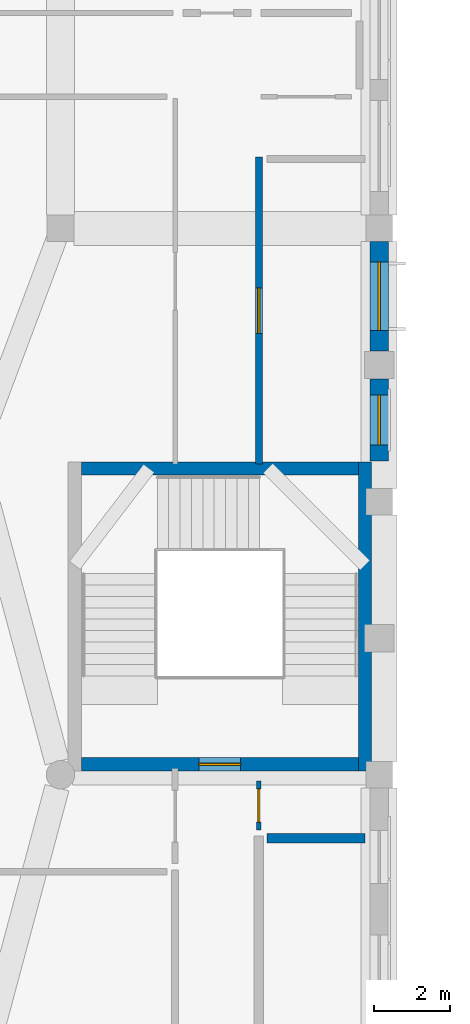
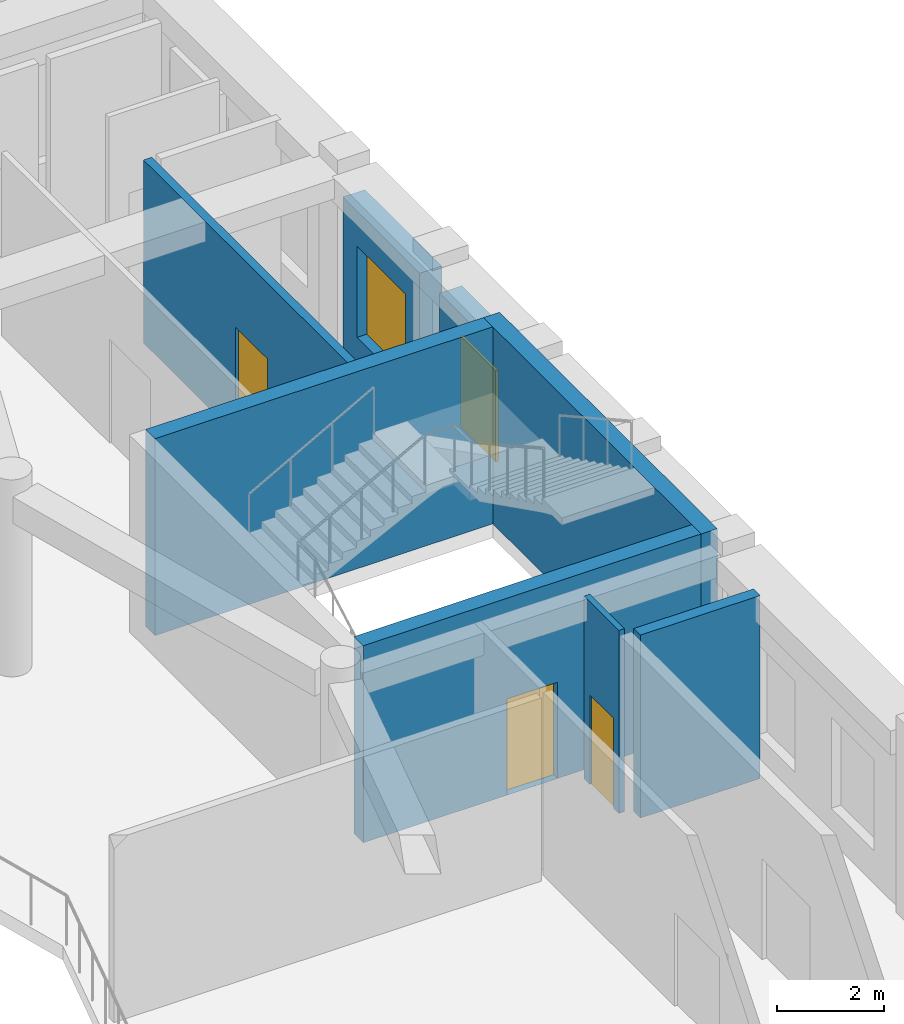
# One storey, part 60 of 100: 8 walls, 3 doors, 2 windows, 5 openings.
"""IFC4 building model written with IfcOpenShell, lengths in metres."""

import ifcopenshell
import ifcopenshell.guid

model = None  # the IFC model being written
_history = None  # IfcOwnerHistory: only IFC2X3 demands one
_inside = {}  # id of a spatial element -> (the spatial element, [elements in it])
_under = {}  # id of a project, library or spatial element -> (it, [spatial elements below it])
_declared = {}  # id of a project -> (the project, [libraries it declares])
_typed = {}  # id of a type object -> (the type object, [elements of that type])
_made_of = {}  # id of a material, layer set ... -> (it, [elements and type objects made of it])


def new_model(schema):
    """Start an empty IFC model of exactly this schema.

    Asked for "IFC4X3", IfcOpenShell would pick the latest addendum, in which some entities
    have other attributes; the version numbers below select the first issue.
    IFC2X3 requires an IfcOwnerHistory on every rooted entity: one is made here for all.
    """
    global model, _history
    if schema == "IFC4X3":
        model = ifcopenshell.file(schema_version=(4, 3, 0, 0))
    else:
        model = ifcopenshell.file(schema=schema)
    _inside.clear()
    _under.clear()
    _declared.clear()
    _typed.clear()
    _made_of.clear()
    _history = None
    if model.schema == "IFC2X3":
        org = make("IfcOrganization", Name="unknown")
        user = make(
            "IfcPersonAndOrganization",
            ThePerson=make("IfcPerson", FamilyName="unknown"),
            TheOrganization=org,
        )
        app = make(
            "IfcApplication",
            ApplicationDeveloper=org,
            Version="unknown",
            ApplicationFullName="unknown",
            ApplicationIdentifier="unknown",
        )
        _history = make(
            "IfcOwnerHistory",
            OwningUser=user,
            OwningApplication=app,
            ChangeAction="ADDED",
            CreationDate=0,
        )
    return model


def make(cls, **values):
    """One entity of the class cls with the attributes given. An attribute that is None is left unset."""
    return model.create_entity(
        cls, **{name: value for name, value in values.items() if value is not None}
    )


def rooted(cls, **values):
    """An entity with a GlobalId (a new one), such as an element, a storey or a relation."""
    return make(cls, GlobalId=ifcopenshell.guid.new(), OwnerHistory=_history, **values)


def si_unit(unit_type, name, prefix=None):
    """IfcSIUnit, for example si_unit("LENGTHUNIT", "METRE", prefix="MILLI")."""
    return make("IfcSIUnit", UnitType=unit_type, Prefix=prefix, Name=name)


def derived_unit(unit_type, elements):
    """IfcDerivedUnit: a product of units, each with its exponent."""
    return make(
        "IfcDerivedUnit",
        Elements=[
            make("IfcDerivedUnitElement", Unit=unit, Exponent=power)
            for unit, power in elements
        ],
        UnitType=unit_type,
    )


def assignment(units):
    """IfcUnitAssignment: the units of a project."""
    return None if units is None else make("IfcUnitAssignment", Units=units)


def point(xyz):
    """IfcCartesianPoint."""
    return None if xyz is None else make("IfcCartesianPoint", Coordinates=xyz)


def direction(xyz):
    """IfcDirection."""
    return None if xyz is None else make("IfcDirection", DirectionRatios=xyz)


def frame(location, z_axis=None, x_axis=None):
    """IfcAxis2Placement3D, a coordinate frame: its origin and axes. An axis left out is left unset."""
    return make(
        "IfcAxis2Placement3D",
        Location=point(location),
        Axis=direction(z_axis),
        RefDirection=direction(x_axis),
    )


def frame_2d(location, x_axis=None):
    """IfcAxis2Placement2D, a coordinate frame in the plane: its origin and x axis."""
    return make(
        "IfcAxis2Placement2D", Location=point(location), RefDirection=direction(x_axis)
    )


def origin():
    """The frame at (0, 0, 0) with its axes left unset."""
    return frame((0.0, 0.0, 0.0))


def place(relative_to, where):
    """IfcLocalPlacement: puts the frame where relative to a parent placement (None: the world)."""
    return make(
        "IfcLocalPlacement", PlacementRelTo=relative_to, RelativePlacement=where
    )


def context(
    kind, dimensions, precision=None, world=None, true_north=None, identifier=None
):
    """IfcGeometricRepresentationContext, for example the 3D "Model" context."""
    return make(
        "IfcGeometricRepresentationContext",
        ContextIdentifier=identifier,
        ContextType=kind,
        CoordinateSpaceDimension=dimensions,
        Precision=precision,
        WorldCoordinateSystem=world,
        TrueNorth=true_north,
    )


def subcontext(parent, identifier, kind, view, scale=None):
    """IfcGeometricRepresentationSubContext, for example "Body" below "Model"."""
    return make(
        "IfcGeometricRepresentationSubContext",
        ContextIdentifier=identifier,
        ContextType=kind,
        ParentContext=parent,
        TargetScale=scale,
        TargetView=view,
    )


def project(units=None, contexts=None):
    """IfcProject with its units and contexts."""
    return rooted(
        "IfcProject",
        Name="project",
        RepresentationContexts=contexts,
        UnitsInContext=assignment(units),
    )


def spatial(cls, under=None, at=None, **own):
    """A site, building, storey or space (cls), placed at a placement, below another one or the project."""
    s = rooted(cls, ObjectPlacement=at, **own)
    if under is not None:
        _under.setdefault(under.id(), (under, []))[1].append(s)
    return s


def profile(cls, at=None, kind="AREA", **sizes):
    """A parametric profile (cls). Its sizes go by their IFC names, for example OverallWidth=200.0."""
    return make(cls, ProfileType=kind, Position=at, **sizes)


def rectangle(**sizes):
    """IfcRectangleProfileDef."""
    return profile("IfcRectangleProfileDef", **sizes)


def extrude(swept, where, along, depth):
    """IfcExtrudedAreaSolid: the profile swept, set in the frame where, extruded along a direction by depth."""
    return make(
        "IfcExtrudedAreaSolid",
        SweptArea=swept,
        Position=where,
        ExtrudedDirection=direction(along),
        Depth=depth,
    )


def shape(context_of_items, identifier, shape_type, items):
    """IfcShapeRepresentation: the items that make up one representation, for example the "Body"."""
    return make(
        "IfcShapeRepresentation",
        ContextOfItems=context_of_items,
        RepresentationIdentifier=identifier,
        RepresentationType=shape_type,
        Items=items,
    )


def material(Name=None, Category=None):
    """IfcMaterial."""
    return make("IfcMaterial", Name=Name, Category=Category)


def layer(
    of_material, thickness, ventilated=None, Name=None, Category=None, Priority=None
):
    """IfcMaterialLayer: one layer of a wall or slab, of a material (None: an air gap)."""
    return make(
        "IfcMaterialLayer",
        Material=of_material,
        LayerThickness=thickness,
        IsVentilated=ventilated,
        Name=Name,
        Category=Category,
        Priority=Priority,
    )


def layer_set(layers, Name=None):
    """IfcMaterialLayerSet."""
    return make("IfcMaterialLayerSet", MaterialLayers=layers, LayerSetName=Name)


def made_of(thing, what):
    """Note that an element or type object is made of a material, layer set ...; save() writes the relation."""
    if what is not None:
        _made_of.setdefault(what.id(), (what, []))[1].append(thing)
    return thing


def type_object(cls, material=None, **own):
    """A type object (cls), such as IfcWallType, which elements share."""
    return made_of(rooted(cls, **own), material)


def element(
    cls,
    number,
    at=None,
    inside=None,
    cuts=None,
    type_object=None,
    material=None,
    context=None,
    identifier="Body",
    shape_type=None,
    held_by="IfcProductDefinitionShape",
    body=None,
    shapes=None,
    **own,
):
    """One element of the class cls, such as IfcWall. Its Tag is "e" and its number.

    at: its placement. inside: the storey or other place that contains it. cuts: it is an
    opening in that element (IfcRelVoidsElement). A single representation is given by context,
    identifier, shape_type and body (its items); several are given by shapes. held_by: the class
    of the entity that holds the representations. save() writes the other relations.
    """
    e = rooted(cls, Tag="e%d" % number, ObjectPlacement=at, **own)
    if body is not None:
        shapes = [shape(context, identifier, shape_type, body)]
    if shapes is not None:
        e.Representation = make(held_by, Representations=shapes)
    if inside is not None:
        _inside.setdefault(inside.id(), (inside, []))[1].append(e)
    if cuts is not None:
        rooted(
            "IfcRelVoidsElement", RelatingBuildingElement=cuts, RelatedOpeningElement=e
        )
    if type_object is not None:
        _typed.setdefault(type_object.id(), (type_object, []))[1].append(e)
    return made_of(e, material)


def fill(opening, filler):
    """IfcRelFillsElement: the door or window that sits in an opening."""
    return rooted(
        "IfcRelFillsElement",
        RelatingOpeningElement=opening,
        RelatedBuildingElement=filler,
    )


def aggregate(whole, parts):
    """IfcRelAggregates: a whole, such as a stair, and the parts it consists of."""
    return rooted("IfcRelAggregates", RelatingObject=whole, RelatedObjects=parts)


def save(model, path):
    """Write the relations noted so far, then the file.

    IfcRelAggregates (storeys below a building ...), IfcRelContainedInSpatialStructure (elements
    in a storey), IfcRelDefinesByType, IfcRelAssociatesMaterial and IfcRelDeclares: one each for
    every whole, place, type object, material and project.
    """
    for whole, parts in _under.values():
        aggregate(whole, parts)
    for where, things in _inside.values():
        rooted(
            "IfcRelContainedInSpatialStructure",
            RelatedElements=things,
            RelatingStructure=where,
        )
    for kind, things in _typed.values():
        rooted("IfcRelDefinesByType", RelatedObjects=things, RelatingType=kind)
    for what, things in _made_of.values():
        rooted("IfcRelAssociatesMaterial", RelatedObjects=things, RelatingMaterial=what)
    for by, libraries in _declared.values():
        rooted("IfcRelDeclares", RelatingContext=by, RelatedDefinitions=libraries)
    model.write(path)


model = new_model("IFC4")

# Units and contexts
model_context = context("Model", 3, precision=1e-05, world=origin(), true_north=direction((0.0, 1.0)))
body_context = subcontext(model_context, "Body", "Model", "MODEL_VIEW")
ifc_project = project(units=[si_unit("LENGTHUNIT", "METRE"), si_unit("AREAUNIT", "SQUARE_METRE"), si_unit("VOLUMEUNIT", "CUBIC_METRE"), si_unit("PLANEANGLEUNIT", "RADIAN"), si_unit("MASSUNIT", "GRAM", prefix="KILO"), derived_unit("THERMALTRANSMITTANCEUNIT", [(si_unit("POWERUNIT", "WATT"), 1), (si_unit("LENGTHUNIT", "METRE"), -2), (si_unit("THERMODYNAMICTEMPERATUREUNIT", "KELVIN"), -1)])], contexts=[model_context])

# Site, building, storey
site_placement = place(None, origin())
site = spatial("IfcSite", under=ifc_project, at=site_placement, CompositionType="ELEMENT")
building_placement = place(site_placement, origin())
building = spatial("IfcBuilding", under=site, at=building_placement, Name="Veybourne Emporium", CompositionType="ELEMENT")
storey_placement = place(building_placement, frame((0.0, 0.0, 14.39990234375)))
storey = spatial("IfcBuildingStorey", under=building, at=storey_placement, Name="L03", CompositionType="ELEMENT", Elevation=14.39990234375)

# Wall, opening, window
ifc_material_1 = material(Name="Portland Limestone Ashlar", Category="masonry")
ifc_layer_1 = layer(ifc_material_1, 0.47998046875)
ifc_layer_set_1 = layer_set([ifc_layer_1], Name="Portland Limestone Ashlar")
wall_type_1 = type_object("IfcWallType", Name="ExtWall_EW-01", PredefinedType="SOLIDWALL", material=ifc_layer_set_1)
wall_1_placement = place(storey_placement, frame((100.800048828125, 64.449951171875, 0.0), z_axis=(0.0, 0.0, 1.0), x_axis=(0.0, -1.0, 0.0)))
wall_1 = element("IfcWall", 1, at=wall_1_placement, inside=storey, type_object=wall_type_1, Name="L03 Portland stone external wall 057A", PredefinedType="SOLIDWALL", context=body_context, shape_type="SweptSolid", body=[
    extrude(rectangle(XDim=2.8798828125, YDim=0.47998046875, at=frame_2d((1.43994140625, 0.0))), origin(), (0.0, 0.0, 1.0), 3.630126953125),
])
opening_1_placement = place(wall_1_placement, frame((0.5400390625, 0.0, 0.75)))
opening_1 = element("IfcOpeningElement", 2, at=opening_1_placement, cuts=wall_1, Name="Opening W-12", PredefinedType="OPENING", context=body_context, shape_type="SweptSolid", body=[
    extrude(rectangle(XDim=1.800048828125, YDim=2.080078125, at=frame_2d((0.89990234375, 1.0400390625))), frame((0.0, 0.260009765625, 0.0), z_axis=(0.0, -1.0, 0.0), x_axis=(1.0, 0.0, 0.0)), (0.0, 0.0, 1.0), 0.52001953125),
])
ifc_material_2 = material(Name="Low-E Triple Glazing", Category="glass")
window_type_1 = type_object("IfcWindowType", Name="Win_W-12", PartitioningType="DOUBLE_PANEL_VERTICAL", PredefinedType="WINDOW", material=ifc_material_2)
window_1_placement = place(opening_1_placement, origin())
window_1 = element("IfcWindow", 3, at=window_1_placement, inside=storey, type_object=window_type_1, Name="L03 tripartite bronze casement window W-12 (57A)", OverallHeight=2.080078125, OverallWidth=1.800048828125, PartitioningType="DOUBLE_PANEL_VERTICAL", PredefinedType="WINDOW", context=body_context, shape_type="SweptSolid", body=[
    extrude(rectangle(XDim=1.800048828125, YDim=2.080078125, at=frame_2d((0.89990234375, 1.0400390625))), frame((0.0, 0.030029296875, 0.0), z_axis=(0.0, -1.0, 0.0), x_axis=(1.0, 0.0, 0.0)), (0.0, 0.0, 1.0), 0.06005859375),
])
fill(opening_1, window_1)

wall_2_placement = place(storey_placement, frame((100.800048828125, 60.830078125, 0.0), z_axis=(0.0, 0.0, 1.0), x_axis=(0.0, -1.0, 0.0)))
wall_2 = element("IfcWall", 4, at=wall_2_placement, inside=storey, type_object=wall_type_1, Name="L03 Portland stone external wall 057B", PredefinedType="SOLIDWALL", context=body_context, shape_type="SweptSolid", body=[
    extrude(rectangle(XDim=2.16015625, YDim=0.47998046875, at=frame_2d((1.080078125, 0.0))), origin(), (0.0, 0.0, 1.0), 3.630126953125),
])
opening_2_placement = place(wall_2_placement, frame((0.425048828125, 0.0, 0.75)))
opening_2 = element("IfcOpeningElement", 5, at=opening_2_placement, cuts=wall_2, Name="Opening W-13", PredefinedType="OPENING", context=body_context, shape_type="SweptSolid", body=[
    extrude(rectangle(XDim=1.31005859375, YDim=2.080078125, at=frame_2d((0.655029296875, 1.0400390625))), frame((0.0, 0.260009765625, 0.0), z_axis=(0.0, -1.0, 0.0), x_axis=(1.0, 0.0, 0.0)), (0.0, 0.0, 1.0), 0.52001953125),
])
window_type_2 = type_object("IfcWindowType", Name="Win_W-13", PartitioningType="TRIPLE_PANEL_VERTICAL", PredefinedType="WINDOW", material=ifc_material_2)
window_2_placement = place(opening_2_placement, origin())
window_2 = element("IfcWindow", 6, at=window_2_placement, inside=storey, type_object=window_type_2, Name="L03 tripartite bronze casement window W-13 (57B)", OverallHeight=2.080078125, OverallWidth=1.31005859375, PartitioningType="TRIPLE_PANEL_VERTICAL", PredefinedType="WINDOW", context=body_context, shape_type="SweptSolid", body=[
    extrude(rectangle(XDim=1.31005859375, YDim=2.080078125, at=frame_2d((0.655029296875, 1.0400390625))), frame((0.0, 0.030029296875, 0.0), z_axis=(0.0, -1.0, 0.0), x_axis=(1.0, 0.0, 0.0)), (0.0, 0.0, 1.0), 0.06005859375),
])
fill(opening_2, window_2)

# Wall, opening, door
ifc_material_3 = material(Name="Concrete C40/50", Category="concrete")
ifc_layer_2 = layer(ifc_material_3, 0.35009765625)
ifc_layer_set_2 = layer_set([ifc_layer_2], Name="Concrete C40/50")
wall_type_2 = type_object("IfcWallType", Name="IntWall_CW-02", PredefinedType="SHEAR", material=ifc_layer_set_2)
wall_3_placement = place(storey_placement, frame((100.25, 50.675048828125, 0.0), z_axis=(0.0, 0.0, 1.0), x_axis=(-1.0, 0.0, 0.0)))
wall_3 = element("IfcWall", 7, at=wall_3_placement, inside=storey, type_object=wall_type_2, Name="Core stair ST-07 south shear wall (L03)", PredefinedType="SHEAR", context=body_context, shape_type="SweptSolid", body=[
    extrude(rectangle(XDim=7.300048828125, YDim=0.35009765625, at=frame_2d((3.64990234375, 0.0))), origin(), (0.0, 0.0, 1.0), 4.5),
])
opening_3_placement = place(wall_3_placement, frame((3.10009765625, 0.0, 0.0)))
opening_3 = element("IfcOpeningElement", 8, at=opening_3_placement, cuts=wall_3, Name="Opening FD-01", PredefinedType="OPENING", context=body_context, shape_type="SweptSolid", body=[
    extrude(rectangle(XDim=1.10009765625, YDim=2.199951171875, at=frame_2d((0.550048828125, 1.10009765625))), frame((0.0, 0.195068359375, 0.0), z_axis=(0.0, -1.0, 0.0), x_axis=(1.0, 0.0, 0.0)), (0.0, 0.0, 1.0), 0.39013671875),
])
ifc_material_4 = material(Name="Patinated Architectural Bronze", Category="bronze")
door_type_1 = type_object("IfcDoorType", Name="FireDoor_FD-01", OperationType="NOTDEFINED", PredefinedType="DOOR", material=ifc_material_4)
door_1_placement = place(opening_3_placement, origin())
door_1 = element("IfcDoor", 9, at=door_1_placement, inside=storey, type_object=door_type_1, Name="Stair ST-07 fire door (L03)", OperationType="SINGLE_SWING_LEFT", OverallHeight=2.199951171875, OverallWidth=1.10009765625, PredefinedType="DOOR", context=body_context, shape_type="SweptSolid", body=[
    extrude(rectangle(XDim=1.10009765625, YDim=2.199951171875, at=frame_2d((0.550048828125, 1.10009765625))), frame((0.0, 0.02490234375, 0.0), z_axis=(0.0, -1.0, 0.0), x_axis=(1.0, 0.0, 0.0)), (0.0, 0.0, 1.0), 0.050048828125),
])
fill(opening_3, door_1)

# Walls
wall_4_placement = place(storey_placement, frame((92.949951171875, 58.47509765625, 0.0), z_axis=(0.0, 0.0, 1.0), x_axis=(1.0, 0.0, 0.0)))
element("IfcWall", 10, at=wall_4_placement, inside=storey, type_object=wall_type_2, Name="Core stair ST-07 north shear wall (L03)", PredefinedType="SHEAR", context=body_context, shape_type="SweptSolid", body=[
    extrude(rectangle(XDim=7.300048828125, YDim=0.35009765625, at=frame_2d((3.64990234375, 0.0))), origin(), (0.0, 0.0, 1.0), 4.5),
])
wall_5_placement = place(storey_placement, frame((100.425048828125, 50.5, 0.0), z_axis=(0.0, 0.0, 1.0), x_axis=(0.0, 1.0, 0.0)))
element("IfcWall", 11, at=wall_5_placement, inside=storey, type_object=wall_type_2, Name="Core stair ST-07 east shear wall (L03)", PredefinedType="SHEAR", context=body_context, shape_type="SweptSolid", body=[
    extrude(rectangle(XDim=8.14990234375, YDim=0.35009765625, at=frame_2d((4.074951171875, 0.0))), origin(), (0.0, 0.0, 1.0), 4.5),
])
ifc_material_5 = material(Name="Concrete C32/40", Category="concrete")
ifc_layer_3 = layer(ifc_material_5, 0.25)
ifc_layer_set_3 = layer_set([ifc_layer_3], Name="Concrete C32/40")
wall_type_3 = type_object("IfcWallType", Name="IntWall_FW-01", PredefinedType="SOLIDWALL", material=ifc_layer_set_3)
wall_6_placement = place(storey_placement, frame((97.840087890625, 48.72998046875, 0.0), z_axis=(0.0, 0.0, 1.0), x_axis=(1.0, 0.0, 0.0)))
element("IfcWall", 12, at=wall_6_placement, inside=storey, type_object=wall_type_3, Name="L03 interior partition FW-01 #142", PredefinedType="SOLIDWALL", context=body_context, shape_type="SweptSolid", body=[
    extrude(rectangle(XDim=2.58984375, YDim=0.25, at=frame_2d((1.294921875, 0.0))), origin(), (0.0, 0.0, 1.0), 4.18017578125),
])

# Wall, opening, door
ifc_material_6 = material(Name="Gypsum Acoustic Board", Category="gypsum")
ifc_layer_4 = layer(ifc_material_6, 0.179931640625)
ifc_layer_set_4 = layer_set([ifc_layer_4], Name="Gypsum Acoustic Board")
wall_type_4 = type_object("IfcWallType", Name="IntWall_IW-01", PredefinedType="PARTITIONING", material=ifc_layer_set_4)
wall_7_placement = place(storey_placement, frame((97.6298828125, 58.590087890625, 0.0), z_axis=(0.0, 0.0, 1.0), x_axis=(0.0, 1.0, 0.0)))
wall_7 = element("IfcWall", 13, at=wall_7_placement, inside=storey, type_object=wall_type_4, Name="L03 interior partition IW-01 #059", PredefinedType="PARTITIONING", context=body_context, shape_type="SweptSolid", body=[
    extrude(rectangle(XDim=8.08984375, YDim=0.179931640625, at=frame_2d((4.044921875, 0.0))), origin(), (0.0, 0.0, 1.0), 4.18017578125),
])
opening_4_placement = place(wall_7_placement, frame((3.445068359375, 0.0, 0.0)))
opening_4 = element("IfcOpeningElement", 14, at=opening_4_placement, cuts=wall_7, Name="Opening D-33", PredefinedType="OPENING", context=body_context, shape_type="SweptSolid", body=[
    extrude(rectangle(XDim=1.199951171875, YDim=2.449951171875, at=frame_2d((0.60009765625, 1.22509765625))), frame((0.0, 0.10986328125, 0.0), z_axis=(0.0, -1.0, 0.0), x_axis=(1.0, 0.0, 0.0)), (0.0, 0.0, 1.0), 0.219970703125),
])
ifc_material_7 = material(Name="European Oak Veneer and Bronze", Category="wood")
door_type_2 = type_object("IfcDoorType", Name="IntDoor_D-33", OperationType="NOTDEFINED", PredefinedType="DOOR", material=ifc_material_7)
door_2_placement = place(opening_4_placement, origin())
door_2 = element("IfcDoor", 15, at=door_2_placement, inside=storey, type_object=door_type_2, Name="L03 interior door D-33 (PART-L03-059)", OperationType="SINGLE_SWING_RIGHT", OverallHeight=2.449951171875, OverallWidth=1.199951171875, PredefinedType="DOOR", context=body_context, shape_type="SweptSolid", body=[
    extrude(rectangle(XDim=1.199951171875, YDim=2.449951171875, at=frame_2d((0.60009765625, 1.22509765625))), frame((0.0, 0.02490234375, 0.0), z_axis=(0.0, -1.0, 0.0), x_axis=(1.0, 0.0, 0.0)), (0.0, 0.0, 1.0), 0.050048828125),
])
fill(opening_4, door_2)

ifc_layer_5 = layer(ifc_material_6, 0.1201171875)
ifc_layer_set_5 = layer_set([ifc_layer_5], Name="Gypsum Acoustic Board")
wall_type_5 = type_object("IfcWallType", Name="IntWall_IW-03", PredefinedType="PARTITIONING", material=ifc_layer_set_5)
wall_8_placement = place(storey_placement, frame((97.6298828125, 48.93994140625, 0.0), z_axis=(0.0, 0.0, 1.0), x_axis=(0.0, 1.0, 0.0)))
wall_8 = element("IfcWall", 16, at=wall_8_placement, inside=storey, type_object=wall_type_5, Name="L03 interior partition IW-03 #121", PredefinedType="PARTITIONING", context=body_context, shape_type="SweptSolid", body=[
    extrude(rectangle(XDim=1.29638671875, YDim=0.1201171875, at=frame_2d((0.648193359375, 0.0))), origin(), (0.0, 0.0, 1.0), 4.18017578125),
])
opening_5_placement = place(wall_8_placement, frame((0.208251953125, 0.0, 0.0)))
opening_5 = element("IfcOpeningElement", 17, at=opening_5_placement, cuts=wall_8, Name="Opening D-01", PredefinedType="OPENING", context=body_context, shape_type="SweptSolid", body=[
    extrude(rectangle(XDim=0.8798828125, YDim=2.050048828125, at=frame_2d((0.43994140625, 1.02490234375))), frame((0.0, 0.080078125, 0.0), z_axis=(0.0, -1.0, 0.0), x_axis=(1.0, 0.0, 0.0)), (0.0, 0.0, 1.0), 0.16015625),
])
door_type_3 = type_object("IfcDoorType", Name="IntDoor_D-01", OperationType="NOTDEFINED", PredefinedType="DOOR", material=ifc_material_7)
door_3_placement = place(opening_5_placement, origin())
door_3 = element("IfcDoor", 18, at=door_3_placement, inside=storey, type_object=door_type_3, Name="L03 interior door D-01 (PART-L03-121)", OperationType="SINGLE_SWING_RIGHT", OverallHeight=2.050048828125, OverallWidth=0.8798828125, PredefinedType="DOOR", context=body_context, shape_type="SweptSolid", body=[
    extrude(rectangle(XDim=0.8798828125, YDim=2.050048828125, at=frame_2d((0.43994140625, 1.02490234375))), frame((0.0, 0.02490234375, 0.0), z_axis=(0.0, -1.0, 0.0), x_axis=(1.0, 0.0, 0.0)), (0.0, 0.0, 1.0), 0.050048828125),
])
fill(opening_5, door_3)

save(model, "model.ifc")
